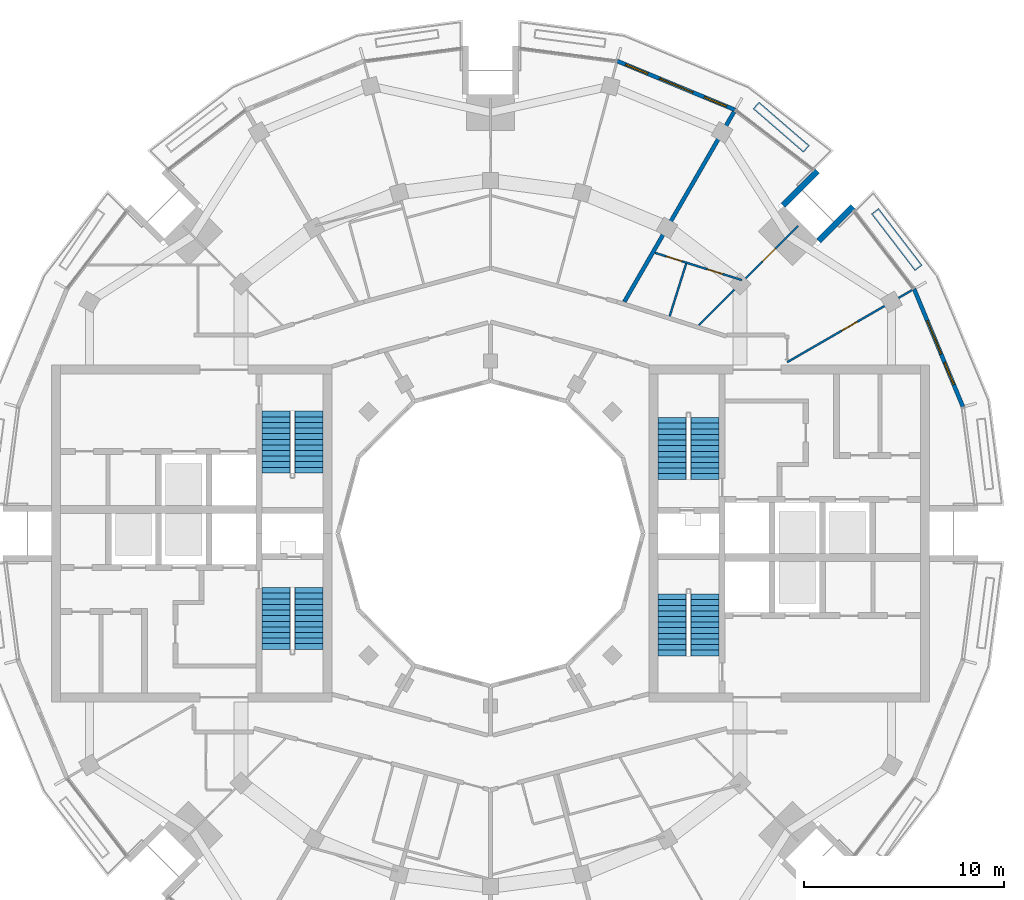
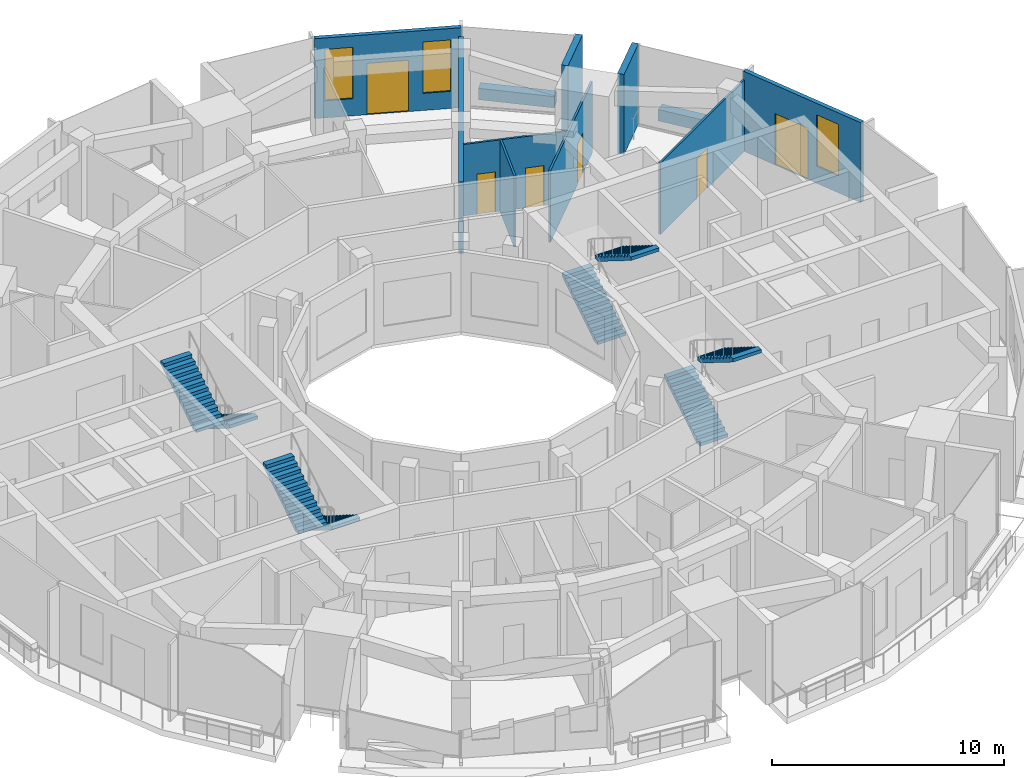
# One storey, part 14 of 17: 11 walls, 8 stair flights, 6 doors, 3 windows, 9 openings, 4 elements without a shape of their own.
"""IFC4 building model written with IfcOpenShell, lengths in metres."""

from ifc_helpers import new_model, si_unit, direction, frame, frame_2d, origin, place, context, subcontext, project, spatial, polyline, rectangle, outline, extrude, material, layer, layer_set, type_object, element, fill, aggregate, save


model = new_model("IFC4")

# Units and contexts
model_context = context("Model", 3, precision=1e-05, world=origin(), true_north=direction((0.0, 1.0)))
body_context = subcontext(model_context, "Body", "Model", "MODEL_VIEW")
ifc_project = project(units=[si_unit("LENGTHUNIT", "METRE"), si_unit("AREAUNIT", "SQUARE_METRE"), si_unit("VOLUMEUNIT", "CUBIC_METRE"), si_unit("PLANEANGLEUNIT", "RADIAN"), si_unit("MASSUNIT", "GRAM", prefix="KILO")], contexts=[model_context])

# Site, building, storey
site_placement = place(None, origin())
site = spatial("IfcSite", under=ifc_project, at=site_placement, CompositionType="ELEMENT")
building_placement = place(site_placement, origin())
building = spatial("IfcBuilding", under=site, at=building_placement, Name="Torre Brocal", CompositionType="ELEMENT")
storey_placement = place(building_placement, frame((0.0, 0.0, 275.699951171875)))
storey = spatial("IfcBuildingStorey", under=building, at=storey_placement, Name="L63", CompositionType="ELEMENT", Elevation=275.699951171875)

# Wall, openings, door, window
ifc_material_1 = material(Name="Concrete C40", Category="concrete")
ifc_layer_1 = layer(ifc_material_1, 0.199951171875)
ifc_layer_set_1 = layer_set([ifc_layer_1], Name="Concrete C40")
wall_type_1 = type_object("IfcWallType", Name="EXTERNAL WALL 200", PredefinedType="NOTDEFINED", material=ifc_layer_set_1)
wall_1_placement = place(storey_placement, frame((103.56787109375, 81.31494140625, 0.0), z_axis=(0.0, 0.0, 1.0), x_axis=(-0.382690319485, 0.923876679743, 0.0)))
wall_1 = element("IfcWall", 1, at=wall_1_placement, inside=storey, type_object=wall_type_1, Name="EXTERNAL WALL", PredefinedType="NOTDEFINED", context=body_context, shape_type="SweptSolid", body=[
    extrude(rectangle(XDim=6.369384765625, YDim=0.199951171875, at=frame_2d((3.1845703125, 0.0))), origin(), (0.0, 0.0, 1.0), 4.199951171875),
])
opening_1_placement = place(wall_1_placement, frame((1.199951171875, 0.0, 0.89990234375)))
opening_1 = element("IfcOpeningElement", 2, at=opening_1_placement, cuts=wall_1, Name="Opening W9", PredefinedType="OPENING", context=body_context, shape_type="SweptSolid", body=[
    extrude(rectangle(XDim=1.199951171875, YDim=2.699951171875, at=frame_2d((0.60009765625, 1.35009765625))), frame((0.0, 0.10986328125, 0.0), z_axis=(0.0, -1.0, 0.0), x_axis=(1.0, 0.0, 0.0)), (0.0, 0.0, 1.0), 0.219970703125),
])
opening_2_placement = place(wall_1_placement, frame((2.85009765625, 0.0, 0.0)))
opening_2 = element("IfcOpeningElement", 3, at=opening_2_placement, cuts=wall_1, Name="Opening L63-E01", PredefinedType="OPENING", context=body_context, shape_type="SweptSolid", body=[
    extrude(rectangle(XDim=1.800048828125, YDim=2.699951171875, at=frame_2d((0.89990234375, 1.35009765625))), frame((0.0, 0.10986328125, 0.0), z_axis=(0.0, -1.0, 0.0), x_axis=(1.0, 0.0, 0.0)), (0.0, 0.0, 1.0), 0.219970703125),
])
ifc_material_2 = material(Name="Aluminium and glass", Category="aluminium")
door_type_1 = type_object("IfcDoorType", Name="PENTHOUSE TERRACE DOUBLE DOOR 1800X2700", OperationType="DOUBLE_DOOR_SINGLE_SWING", PredefinedType="DOOR", material=ifc_material_2)
door_1_placement = place(opening_2_placement, frame((1.800048828125, 0.0, 0.0), z_axis=(0.0, 0.0, 1.0), x_axis=(-1.0, 0.0, 0.0)))
door_1 = element("IfcDoor", 4, at=door_1_placement, inside=storey, type_object=door_type_1, Name="DOOR L63-E01", OperationType="DOUBLE_DOOR_SINGLE_SWING", OverallHeight=2.699951171875, OverallWidth=1.800048828125, PredefinedType="DOOR", context=body_context, shape_type="SweptSolid", body=[
    extrude(rectangle(XDim=1.800048828125, YDim=2.699951171875, at=frame_2d((0.89990234375, 1.35009765625))), frame((0.0, 0.02490234375, 0.0), z_axis=(0.0, -1.0, 0.0), x_axis=(1.0, 0.0, 0.0)), (0.0, 0.0, 1.0), 0.050048828125),
])
fill(opening_2, door_1)
ifc_material_3 = material(Name="Aluminium and glass", Category="aluminium")
window_type = type_object("IfcWindowType", Name="PENTHOUSE TERRACE WINDOW 1200X2700", PartitioningType="SINGLE_PANEL", PredefinedType="WINDOW", material=ifc_material_3)
window_1_placement = place(opening_1_placement, origin())
window_1 = element("IfcWindow", 5, at=window_1_placement, inside=storey, type_object=window_type, Name="PENTHOUSE TERRACE WINDOW 1200X2700", OverallHeight=2.699951171875, OverallWidth=1.199951171875, PartitioningType="SINGLE_PANEL", PredefinedType="WINDOW", context=body_context, shape_type="SweptSolid", body=[
    extrude(rectangle(XDim=1.199951171875, YDim=2.699951171875, at=frame_2d((0.60009765625, 1.35009765625))), frame((0.0, 0.030029296875, 0.0), z_axis=(0.0, -1.0, 0.0), x_axis=(1.0, 0.0, 0.0)), (0.0, 0.0, 1.0), 0.06005859375),
])
fill(opening_1, window_1)

# Wall, openings, door, windows
wall_2_placement = place(storey_placement, frame((92.199462890625, 96.13037109375, 0.0), z_axis=(0.0, 0.0, 1.0), x_axis=(-0.923876679743, 0.382690319485, 0.0)))
wall_2 = element("IfcWall", 6, at=wall_2_placement, inside=storey, type_object=wall_type_1, Name="EXTERNAL WALL", PredefinedType="NOTDEFINED", context=body_context, shape_type="SweptSolid", body=[
    extrude(rectangle(XDim=6.369384765625, YDim=0.199951171875, at=frame_2d((3.1845703125, 0.0))), origin(), (0.0, 0.0, 1.0), 4.199951171875),
])
opening_3_placement = place(wall_2_placement, frame((0.461669921875, 0.0, 0.89990234375)))
opening_3 = element("IfcOpeningElement", 7, at=opening_3_placement, cuts=wall_2, Name="Opening W9", PredefinedType="OPENING", context=body_context, shape_type="SweptSolid", body=[
    extrude(rectangle(XDim=1.199951171875, YDim=2.699951171875, at=frame_2d((0.60009765625, 1.35009765625))), frame((0.0, 0.10986328125, 0.0), z_axis=(0.0, -1.0, 0.0), x_axis=(1.0, 0.0, 0.0)), (0.0, 0.0, 1.0), 0.219970703125),
])
opening_4_placement = place(wall_2_placement, frame((2.28466796875, 0.0, 0.0)))
opening_4 = element("IfcOpeningElement", 8, at=opening_4_placement, cuts=wall_2, Name="Opening L63-E02", PredefinedType="OPENING", context=body_context, shape_type="SweptSolid", body=[
    extrude(rectangle(XDim=1.800048828125, YDim=2.699951171875, at=frame_2d((0.89990234375, 1.35009765625))), frame((0.0, 0.10986328125, 0.0), z_axis=(0.0, -1.0, 0.0), x_axis=(1.0, 0.0, 0.0)), (0.0, 0.0, 1.0), 0.219970703125),
])
opening_5_placement = place(wall_2_placement, frame((4.707763671875, 0.0, 0.89990234375)))
opening_5 = element("IfcOpeningElement", 9, at=opening_5_placement, cuts=wall_2, Name="Opening W9", PredefinedType="OPENING", context=body_context, shape_type="SweptSolid", body=[
    extrude(rectangle(XDim=1.199951171875, YDim=2.699951171875, at=frame_2d((0.60009765625, 1.35009765625))), frame((0.0, 0.10986328125, 0.0), z_axis=(0.0, -1.0, 0.0), x_axis=(1.0, 0.0, 0.0)), (0.0, 0.0, 1.0), 0.219970703125),
])
door_2_placement = place(opening_4_placement, frame((1.800048828125, 0.0, 0.0), z_axis=(0.0, 0.0, 1.0), x_axis=(-1.0, 0.0, 0.0)))
door_2 = element("IfcDoor", 10, at=door_2_placement, inside=storey, type_object=door_type_1, Name="DOOR L63-E02", OperationType="DOUBLE_DOOR_SINGLE_SWING", OverallHeight=2.699951171875, OverallWidth=1.800048828125, PredefinedType="DOOR", context=body_context, shape_type="SweptSolid", body=[
    extrude(rectangle(XDim=1.800048828125, YDim=2.699951171875, at=frame_2d((0.89990234375, 1.35009765625))), frame((0.0, 0.02490234375, 0.0), z_axis=(0.0, -1.0, 0.0), x_axis=(1.0, 0.0, 0.0)), (0.0, 0.0, 1.0), 0.050048828125),
])
fill(opening_4, door_2)
window_2_placement = place(opening_3_placement, origin())
window_2 = element("IfcWindow", 11, at=window_2_placement, inside=storey, type_object=window_type, Name="PENTHOUSE TERRACE WINDOW 1200X2700", OverallHeight=2.699951171875, OverallWidth=1.199951171875, PartitioningType="SINGLE_PANEL", PredefinedType="WINDOW", context=body_context, shape_type="SweptSolid", body=[
    extrude(rectangle(XDim=1.199951171875, YDim=2.699951171875, at=frame_2d((0.60009765625, 1.35009765625))), frame((0.0, 0.030029296875, 0.0), z_axis=(0.0, -1.0, 0.0), x_axis=(1.0, 0.0, 0.0)), (0.0, 0.0, 1.0), 0.06005859375),
])
fill(opening_3, window_2)
window_3_placement = place(opening_5_placement, origin())
window_3 = element("IfcWindow", 12, at=window_3_placement, inside=storey, type_object=window_type, Name="PENTHOUSE TERRACE WINDOW 1200X2700", OverallHeight=2.699951171875, OverallWidth=1.199951171875, PartitioningType="SINGLE_PANEL", PredefinedType="WINDOW", context=body_context, shape_type="SweptSolid", body=[
    extrude(rectangle(XDim=1.199951171875, YDim=2.699951171875, at=frame_2d((0.60009765625, 1.35009765625))), frame((0.0, 0.030029296875, 0.0), z_axis=(0.0, -1.0, 0.0), x_axis=(1.0, 0.0, 0.0)), (0.0, 0.0, 1.0), 0.06005859375),
])
fill(opening_5, window_3)

# Walls
ifc_material_4 = material(Name="Concrete C50", Category="concrete")
ifc_layer_2 = layer(ifc_material_4, 0.300048828125)
ifc_layer_set_2 = layer_set([ifc_layer_2], Name="Concrete C50")
wall_type_2 = type_object("IfcWallType", Name="NOTCH RETURN WALL 300 C50", PredefinedType="NOTDEFINED", material=ifc_layer_set_2)
for number, where, z_axis, x_axis, name in (
    (13, (96.36962890625, 89.601806640625, 0.0), (0.0, 0.0, 1.0), (0.707106781187, 0.707106781187, 0.0), "NOTCH RETURN WALL"),
    (14, (94.601806640625, 91.36962890625, 0.0), (0.0, 0.0, 1.0), (0.707106781187, 0.707106781187, 0.0), "NOTCH RETURN WALL"),
):
    element("IfcWall", number, at=place(storey_placement, frame(where, z_axis=z_axis, x_axis=x_axis)), inside=storey, type_object=wall_type_2, Name=name, PredefinedType="NOTDEFINED", context=body_context, shape_type="SweptSolid", body=[
        extrude(rectangle(XDim=2.41552734375, YDim=0.300048828125, at=frame_2d((1.207763671875, 0.0))), origin(), (0.0, 0.0, 1.0), 4.199951171875),
    ])

# Wall, openings, doors
ifc_material_5 = material(Name="Gypsum board", Category="Gypsum")
ifc_layer_3 = layer(ifc_material_5, 0.10009765625)
ifc_layer_set_3 = layer_set([ifc_layer_3], Name="Gypsum board")
wall_type_3 = type_object("IfcWallType", Name="PARTITION 100", PredefinedType="PARTITIONING", material=ifc_layer_set_3)
wall_3_placement = place(storey_placement, frame((88.20703125, 88.999267578125, 0.0), z_axis=(0.0, 0.0, 1.0), x_axis=(0.954166656768, -0.29927577769, 0.0)))
wall_3 = element("IfcWall", 15, at=wall_3_placement, inside=storey, type_object=wall_type_3, Name="BATHROOM WALL", PredefinedType="PARTITIONING", context=body_context, shape_type="SweptSolid", body=[
    extrude(rectangle(XDim=4.54150390625, YDim=0.10009765625, at=frame_2d((2.270751953125, 0.0))), origin(), (0.0, 0.0, 1.0), 3.75),
])
opening_6_placement = place(wall_3_placement, frame((0.59228515625, 0.0, 0.0)))
opening_6 = element("IfcOpeningElement", 16, at=opening_6_placement, cuts=wall_3, Name="Opening N01-D03", PredefinedType="OPENING", context=body_context, shape_type="SweptSolid", body=[
    extrude(rectangle(XDim=0.800048828125, YDim=2.10009765625, at=frame_2d((0.39990234375, 1.050048828125))), frame((0.0, 0.06005859375, 0.0), z_axis=(0.0, -1.0, 0.0), x_axis=(1.0, 0.0, 0.0)), (0.0, 0.0, 1.0), 0.1201171875),
])
opening_7_placement = place(wall_3_placement, frame((2.73193359375, 0.0, 0.0)))
opening_7 = element("IfcOpeningElement", 17, at=opening_7_placement, cuts=wall_3, Name="Opening N01-D04", PredefinedType="OPENING", context=body_context, shape_type="SweptSolid", body=[
    extrude(rectangle(XDim=0.800048828125, YDim=2.10009765625, at=frame_2d((0.39990234375, 1.050048828125))), frame((0.0, 0.06005859375, 0.0), z_axis=(0.0, -1.0, 0.0), x_axis=(1.0, 0.0, 0.0)), (0.0, 0.0, 1.0), 0.1201171875),
])
ifc_material_6 = material(Name="Timber", Category="wood")
door_type_2 = type_object("IfcDoorType", Name="BATHROOM DOOR 800X2100", OperationType="SINGLE_SWING_LEFT", PredefinedType="DOOR", material=ifc_material_6)
door_3_placement = place(opening_6_placement, frame((0.800048828125, 0.0, 0.0), z_axis=(0.0, 0.0, 1.0), x_axis=(-1.0, 0.0, 0.0)))
door_3 = element("IfcDoor", 18, at=door_3_placement, inside=storey, type_object=door_type_2, Name="N01-D03", OperationType="SINGLE_SWING_LEFT", OverallHeight=2.10009765625, OverallWidth=0.800048828125, PredefinedType="DOOR", context=body_context, shape_type="SweptSolid", body=[
    extrude(rectangle(XDim=0.800048828125, YDim=2.10009765625, at=frame_2d((0.39990234375, 1.050048828125))), frame((0.0, 0.02490234375, 0.0), z_axis=(0.0, -1.0, 0.0), x_axis=(1.0, 0.0, 0.0)), (0.0, 0.0, 1.0), 0.050048828125),
])
fill(opening_6, door_3)
door_4_placement = place(opening_7_placement, frame((0.800048828125, 0.0, 0.0), z_axis=(0.0, 0.0, 1.0), x_axis=(-1.0, 0.0, 0.0)))
door_4 = element("IfcDoor", 19, at=door_4_placement, inside=storey, type_object=door_type_2, Name="N01-D04", OperationType="SINGLE_SWING_LEFT", OverallHeight=2.10009765625, OverallWidth=0.800048828125, PredefinedType="DOOR", context=body_context, shape_type="SweptSolid", body=[
    extrude(rectangle(XDim=0.800048828125, YDim=2.10009765625, at=frame_2d((0.39990234375, 1.050048828125))), frame((0.0, 0.02490234375, 0.0), z_axis=(0.0, -1.0, 0.0), x_axis=(1.0, 0.0, 0.0)), (0.0, 0.0, 1.0), 0.050048828125),
])
fill(opening_7, door_4)

# Wall
wall_4_placement = place(storey_placement, frame((88.935791015625, 85.83642578125, 0.0), z_axis=(0.0, 0.0, 1.0), x_axis=(0.299371771011, 0.954136543018, 0.0)))
element("IfcWall", 20, at=wall_4_placement, inside=storey, type_object=wall_type_3, Name="BATHROOM WALL", PredefinedType="PARTITIONING", context=body_context, shape_type="SweptSolid", body=[
    extrude(rectangle(XDim=2.75, YDim=0.10009765625, at=frame_2d((1.375, 0.0))), origin(), (0.0, 0.0, 1.0), 3.75),
])

# Wall, opening, door
wall_5_placement = place(storey_placement, frame((90.39501953125, 85.39501953125, 0.0), z_axis=(0.0, 0.0, 1.0), x_axis=(0.707106781187, 0.707106781187, 0.0)))
wall_5 = element("IfcWall", 21, at=wall_5_placement, inside=storey, type_object=wall_type_3, Name="BATHROOM WALL", PredefinedType="PARTITIONING", context=body_context, shape_type="SweptSolid", body=[
    extrude(rectangle(XDim=6.99951171875, YDim=0.10009765625, at=frame_2d((3.499755859375, 0.0))), origin(), (0.0, 0.0, 1.0), 3.75),
])
opening_8_placement = place(wall_5_placement, frame((4.49609375, 0.0, 0.0)))
opening_8 = element("IfcOpeningElement", 22, at=opening_8_placement, cuts=wall_5, Name="Opening N01-D02", PredefinedType="OPENING", context=body_context, shape_type="SweptSolid", body=[
    extrude(rectangle(XDim=0.89990234375, YDim=2.10009765625, at=frame_2d((0.449951171875, 1.050048828125))), frame((0.0, 0.06005859375, 0.0), z_axis=(0.0, -1.0, 0.0), x_axis=(1.0, 0.0, 0.0)), (0.0, 0.0, 1.0), 0.1201171875),
])
ifc_material_7 = material(Name="Timber", Category="wood")
door_type_3 = type_object("IfcDoorType", Name="ROOM DOOR 900X2100", OperationType="SINGLE_SWING_LEFT", PredefinedType="DOOR", material=ifc_material_7)
door_5_placement = place(opening_8_placement, frame((0.89990234375, 0.0, 0.0), z_axis=(0.0, 0.0, 1.0), x_axis=(-1.0, 0.0, 0.0)))
door_5 = element("IfcDoor", 23, at=door_5_placement, inside=storey, type_object=door_type_3, Name="N01-D02", OperationType="SINGLE_SWING_RIGHT", OverallHeight=2.10009765625, OverallWidth=0.89990234375, PredefinedType="DOOR", context=body_context, shape_type="SweptSolid", body=[
    extrude(rectangle(XDim=0.89990234375, YDim=2.10009765625, at=frame_2d((0.449951171875, 1.050048828125))), frame((0.0, 0.02490234375, 0.0), z_axis=(0.0, -1.0, 0.0), x_axis=(1.0, 0.0, 0.0)), (0.0, 0.0, 1.0), 0.050048828125),
])
fill(opening_8, door_5)

wall_6_placement = place(storey_placement, frame((94.800048828125, 83.544921875, 0.0), z_axis=(0.0, 0.0, 1.0), x_axis=(0.866044015472, 0.499967762227, 0.0)))
wall_6 = element("IfcWall", 24, at=wall_6_placement, inside=storey, type_object=wall_type_3, Name="ROOM PARTITION", PredefinedType="PARTITIONING", context=body_context, shape_type="SweptSolid", body=[
    extrude(rectangle(XDim=7.2080078125, YDim=0.10009765625, at=frame_2d((3.60400390625, 0.0))), origin(), (0.0, 0.0, 1.0), 3.75),
])
opening_9_placement = place(wall_6_placement, frame((3.12890625, 0.0, 0.0)))
opening_9 = element("IfcOpeningElement", 25, at=opening_9_placement, cuts=wall_6, Name="Opening N01-D05", PredefinedType="OPENING", context=body_context, shape_type="SweptSolid", body=[
    extrude(rectangle(XDim=0.89990234375, YDim=2.10009765625, at=frame_2d((0.449951171875, 1.050048828125))), frame((0.0, 0.06005859375, 0.0), z_axis=(0.0, -1.0, 0.0), x_axis=(1.0, 0.0, 0.0)), (0.0, 0.0, 1.0), 0.1201171875),
])
door_6_placement = place(opening_9_placement, frame((0.89990234375, 0.0, 0.0), z_axis=(0.0, 0.0, 1.0), x_axis=(-1.0, 0.0, 0.0)))
door_6 = element("IfcDoor", 26, at=door_6_placement, inside=storey, type_object=door_type_3, Name="N01-D05", OperationType="SINGLE_SWING_RIGHT", OverallHeight=2.10009765625, OverallWidth=0.89990234375, PredefinedType="DOOR", context=body_context, shape_type="SweptSolid", body=[
    extrude(rectangle(XDim=0.89990234375, YDim=2.10009765625, at=frame_2d((0.449951171875, 1.050048828125))), frame((0.0, 0.02490234375, 0.0), z_axis=(0.0, -1.0, 0.0), x_axis=(1.0, 0.0, 0.0)), (0.0, 0.0, 1.0), 0.050048828125),
])
fill(opening_9, door_6)

# Walls
ifc_material_8 = material(Name="Gypsum board", Category="Gypsum")
ifc_layer_4 = layer(ifc_material_8, 0.199951171875)
ifc_layer_set_4 = layer_set([ifc_layer_4], Name="Gypsum board")
wall_type_4 = type_object("IfcWallType", Name="PARTITION 200 EI60", PredefinedType="PARTITIONING", material=ifc_layer_set_4)
wall_7_placement = place(storey_placement, frame((86.677978515625, 86.561767578125, 0.0), z_axis=(0.0, 0.0, 1.0), x_axis=(0.500133037155, 0.865948581122, 0.0)))
element("IfcWall", 27, at=wall_7_placement, inside=storey, type_object=wall_type_4, Name="BATHROOM WALL", PredefinedType="PARTITIONING", context=body_context, shape_type="SweptSolid", body=[
    extrude(rectangle(XDim=10.94580078125, YDim=0.199951171875, at=frame_2d((5.472900390625, 0.0))), origin(), (0.0, 0.0, 1.0), 3.75),
])
ifc_material_9 = material(Name="Concrete C35", Category="concrete")
ifc_layer_5 = layer(ifc_material_9, 0.449951171875)
ifc_layer_set_5 = layer_set([ifc_layer_5], Name="Concrete C35")
wall_type_5 = type_object("IfcWallType", Name="PLANTER WALL 450 THICK 600 HIGH", PredefinedType="USERDEFINED", material=ifc_layer_set_5)
wall_8_placement = place(storey_placement, frame((101.352783203125, 88.243896484375, 0.0), z_axis=(0.0, 0.0, 1.0), x_axis=(-0.608768756855, 0.793347717383, 0.0)))
element("IfcWall", 28, at=wall_8_placement, inside=storey, type_object=wall_type_5, Name="PLANTER", ObjectType="PLANTER", PredefinedType="USERDEFINED", context=body_context, shape_type="SweptSolid", body=[
    extrude(rectangle(XDim=3.5712890625, YDim=0.449951171875, at=frame_2d((1.78564453125, 0.0))), origin(), (0.0, 0.0, 1.0), 0.60009765625),
])
wall_9_placement = place(storey_placement, frame((95.759765625, 94.1787109375, 0.0), z_axis=(0.0, 0.0, 1.0), x_axis=(-0.75663311645, 0.65383967996, 0.0)))
element("IfcWall", 29, at=wall_9_placement, inside=storey, type_object=wall_type_5, Name="PLANTER", ObjectType="PLANTER", PredefinedType="USERDEFINED", context=body_context, shape_type="SweptSolid", body=[
    extrude(rectangle(XDim=3.3251953125, YDim=0.449951171875, at=frame_2d((1.66259765625, 0.0))), origin(), (0.0, 0.0, 1.0), 0.60009765625),
])

# Stair, stair flights
ifc_material_10 = material(Name="Concrete C50", Category="concrete")
stair_type = type_object("IfcStairType", Name="EXIT STAIR", PredefinedType="HALF_TURN_STAIR", material=ifc_material_10)
stair_1_placement = place(storey_placement, origin())
stair_1 = element("IfcStair", 30, at=stair_1_placement, inside=storey, type_object=stair_type, Name="EXIT STAIR ST1", PredefinedType="HALF_TURN_STAIR")
ifc_material_11 = material(Name="Concrete C50", Category="concrete")
ifc_layer_6 = layer(ifc_material_11, 0.14990234375)
ifc_layer_set_6 = layer_set([ifc_layer_6], Name="Concrete C50")
stair_flight_type = type_object("IfcStairFlightType", Name="STAIR FLIGHT", PredefinedType="STRAIGHT", material=ifc_layer_set_6)
stair_flight_1_placement = place(storey_placement, frame((89.050048828125, 77.699951171875, 0.0), z_axis=(0.0, 0.0, 1.0), x_axis=(0.0, 1.0, 0.0)))
stair_flight_1 = element("IfcStairFlight", 31, at=stair_flight_1_placement, type_object=stair_flight_type, Name="ST1 flight 1", NumberOfRisers=12, NumberOfTreads=11, PredefinedType="STRAIGHT", RiserHeight=0.175, TreadLength=0.28, context=body_context, shape_type="SweptSolid", body=[
    extrude(outline(polyline([(0.0, 0.0), (0.0, 0.175048828125), (0.280029296875, 0.175048828125), (0.280029296875, 0.35009765625), (0.56005859375, 0.35009765625), (0.56005859375, 0.52490234375), (0.840087890625, 0.52490234375), (0.840087890625, 0.699951171875), (1.1201171875, 0.699951171875), (1.1201171875, 0.875), (1.39990234375, 0.875), (1.39990234375, 1.050048828125), (1.679931640625, 1.050048828125), (1.679931640625, 1.22509765625), (1.9599609375, 1.22509765625), (1.9599609375, 1.39990234375), (2.239990234375, 1.39990234375), (2.239990234375, 1.574951171875), (2.52001953125, 1.574951171875), (2.52001953125, 1.75), (2.800048828125, 1.75), (2.800048828125, 1.925048828125), (3.080078125, 1.925048828125), (3.080078125, 2.10009765625), (3.080078125, 1.748291015625), (0.28271484375, 0.0), (0.0, 0.0)])), frame((0.0, 0.699951171875, 0.0), z_axis=(0.0, -1.0, 0.0), x_axis=(1.0, 0.0, 0.0)), (0.0, 0.0, 1.0), 1.39990234375),
])
stair_flight_2_placement = place(storey_placement, frame((90.699951171875, 80.780029296875, 2.10009765625), z_axis=(0.0, 0.0, 1.0), x_axis=(0.0, -1.0, 0.0)))
stair_flight_2 = element("IfcStairFlight", 32, at=stair_flight_2_placement, type_object=stair_flight_type, Name="ST1 flight 2", NumberOfRisers=12, NumberOfTreads=11, PredefinedType="STRAIGHT", RiserHeight=0.175, TreadLength=0.28, context=body_context, shape_type="SweptSolid", body=[
    extrude(outline(polyline([(0.0, 0.0), (0.0, 0.175048828125), (0.280029296875, 0.175048828125), (0.280029296875, 0.35009765625), (0.56005859375, 0.35009765625), (0.56005859375, 0.52490234375), (0.840087890625, 0.52490234375), (0.840087890625, 0.699951171875), (1.1201171875, 0.699951171875), (1.1201171875, 0.875), (1.39990234375, 0.875), (1.39990234375, 1.050048828125), (1.679931640625, 1.050048828125), (1.679931640625, 1.22509765625), (1.9599609375, 1.22509765625), (1.9599609375, 1.39990234375), (2.239990234375, 1.39990234375), (2.239990234375, 1.574951171875), (2.52001953125, 1.574951171875), (2.52001953125, 1.75), (2.800048828125, 1.75), (2.800048828125, 1.925048828125), (3.080078125, 1.925048828125), (3.080078125, 2.10009765625), (3.080078125, 1.748291015625), (0.28271484375, 0.0), (0.0, 0.0)])), frame((0.0, 0.699951171875, 0.0), z_axis=(0.0, -1.0, 0.0), x_axis=(1.0, 0.0, 0.0)), (0.0, 0.0, 1.0), 1.39990234375),
])
aggregate(stair_1, [stair_flight_1, stair_flight_2])

stair_2_placement = place(storey_placement, origin())
stair_2 = element("IfcStair", 33, at=stair_2_placement, inside=storey, type_object=stair_type, Name="EXIT STAIR ST2", PredefinedType="HALF_TURN_STAIR")
stair_flight_3_placement = place(storey_placement, frame((89.050048828125, 68.89990234375, 0.0), z_axis=(0.0, 0.0, 1.0), x_axis=(0.0, 1.0, 0.0)))
stair_flight_3 = element("IfcStairFlight", 34, at=stair_flight_3_placement, type_object=stair_flight_type, Name="ST2 flight 1", NumberOfRisers=12, NumberOfTreads=11, PredefinedType="STRAIGHT", RiserHeight=0.175, TreadLength=0.28, context=body_context, shape_type="SweptSolid", body=[
    extrude(outline(polyline([(0.0, 0.0), (0.0, 0.175048828125), (0.280029296875, 0.175048828125), (0.280029296875, 0.35009765625), (0.56005859375, 0.35009765625), (0.56005859375, 0.52490234375), (0.840087890625, 0.52490234375), (0.840087890625, 0.699951171875), (1.1201171875, 0.699951171875), (1.1201171875, 0.875), (1.39990234375, 0.875), (1.39990234375, 1.050048828125), (1.679931640625, 1.050048828125), (1.679931640625, 1.22509765625), (1.9599609375, 1.22509765625), (1.9599609375, 1.39990234375), (2.239990234375, 1.39990234375), (2.239990234375, 1.574951171875), (2.52001953125, 1.574951171875), (2.52001953125, 1.75), (2.800048828125, 1.75), (2.800048828125, 1.925048828125), (3.080078125, 1.925048828125), (3.080078125, 2.10009765625), (3.080078125, 1.748291015625), (0.28271484375, 0.0), (0.0, 0.0)])), frame((0.0, 0.699951171875, 0.0), z_axis=(0.0, -1.0, 0.0), x_axis=(1.0, 0.0, 0.0)), (0.0, 0.0, 1.0), 1.39990234375),
])
stair_flight_4_placement = place(storey_placement, frame((90.699951171875, 71.97998046875, 2.10009765625), z_axis=(0.0, 0.0, 1.0), x_axis=(0.0, -1.0, 0.0)))
stair_flight_4 = element("IfcStairFlight", 35, at=stair_flight_4_placement, type_object=stair_flight_type, Name="ST2 flight 2", NumberOfRisers=12, NumberOfTreads=11, PredefinedType="STRAIGHT", RiserHeight=0.175, TreadLength=0.28, context=body_context, shape_type="SweptSolid", body=[
    extrude(outline(polyline([(0.0, 0.0), (0.0, 0.175048828125), (0.280029296875, 0.175048828125), (0.280029296875, 0.35009765625), (0.56005859375, 0.35009765625), (0.56005859375, 0.52490234375), (0.840087890625, 0.52490234375), (0.840087890625, 0.699951171875), (1.1201171875, 0.699951171875), (1.1201171875, 0.875), (1.39990234375, 0.875), (1.39990234375, 1.050048828125), (1.679931640625, 1.050048828125), (1.679931640625, 1.22509765625), (1.9599609375, 1.22509765625), (1.9599609375, 1.39990234375), (2.239990234375, 1.39990234375), (2.239990234375, 1.574951171875), (2.52001953125, 1.574951171875), (2.52001953125, 1.75), (2.800048828125, 1.75), (2.800048828125, 1.925048828125), (3.080078125, 1.925048828125), (3.080078125, 2.10009765625), (3.080078125, 1.748291015625), (0.28271484375, 0.0), (0.0, 0.0)])), frame((0.0, 0.699951171875, 0.0), z_axis=(0.0, -1.0, 0.0), x_axis=(1.0, 0.0, 0.0)), (0.0, 0.0, 1.0), 1.39990234375),
])
aggregate(stair_2, [stair_flight_3, stair_flight_4])

stair_3_placement = place(storey_placement, origin())
stair_3 = element("IfcStair", 36, at=stair_3_placement, inside=storey, type_object=stair_type, Name="EXIT STAIR ST3", PredefinedType="HALF_TURN_STAIR")
stair_flight_5_placement = place(storey_placement, frame((70.949951171875, 72.300048828125, 0.0), z_axis=(0.0, 0.0, 1.0), x_axis=(0.0, -1.0, 0.0)))
stair_flight_5 = element("IfcStairFlight", 37, at=stair_flight_5_placement, type_object=stair_flight_type, Name="ST3 flight 1", NumberOfRisers=12, NumberOfTreads=11, PredefinedType="STRAIGHT", RiserHeight=0.175, TreadLength=0.28, context=body_context, shape_type="SweptSolid", body=[
    extrude(outline(polyline([(0.0, 0.0), (0.0, 0.175048828125), (0.280029296875, 0.175048828125), (0.280029296875, 0.35009765625), (0.56005859375, 0.35009765625), (0.56005859375, 0.52490234375), (0.840087890625, 0.52490234375), (0.840087890625, 0.699951171875), (1.1201171875, 0.699951171875), (1.1201171875, 0.875), (1.39990234375, 0.875), (1.39990234375, 1.050048828125), (1.679931640625, 1.050048828125), (1.679931640625, 1.22509765625), (1.9599609375, 1.22509765625), (1.9599609375, 1.39990234375), (2.239990234375, 1.39990234375), (2.239990234375, 1.574951171875), (2.52001953125, 1.574951171875), (2.52001953125, 1.75), (2.800048828125, 1.75), (2.800048828125, 1.925048828125), (3.080078125, 1.925048828125), (3.080078125, 2.10009765625), (3.080078125, 1.748291015625), (0.28271484375, 0.0), (0.0, 0.0)])), frame((0.0, 0.699951171875, 0.0), z_axis=(0.0, -1.0, 0.0), x_axis=(1.0, 0.0, 0.0)), (0.0, 0.0, 1.0), 1.39990234375),
])
stair_flight_6_placement = place(storey_placement, frame((69.300048828125, 69.219970703125, 2.10009765625), z_axis=(0.0, 0.0, 1.0), x_axis=(0.0, 1.0, 0.0)))
stair_flight_6 = element("IfcStairFlight", 38, at=stair_flight_6_placement, type_object=stair_flight_type, Name="ST3 flight 2", NumberOfRisers=12, NumberOfTreads=11, PredefinedType="STRAIGHT", RiserHeight=0.175, TreadLength=0.28, context=body_context, shape_type="SweptSolid", body=[
    extrude(outline(polyline([(0.0, 0.0), (0.0, 0.175048828125), (0.280029296875, 0.175048828125), (0.280029296875, 0.35009765625), (0.56005859375, 0.35009765625), (0.56005859375, 0.52490234375), (0.840087890625, 0.52490234375), (0.840087890625, 0.699951171875), (1.1201171875, 0.699951171875), (1.1201171875, 0.875), (1.39990234375, 0.875), (1.39990234375, 1.050048828125), (1.679931640625, 1.050048828125), (1.679931640625, 1.22509765625), (1.9599609375, 1.22509765625), (1.9599609375, 1.39990234375), (2.239990234375, 1.39990234375), (2.239990234375, 1.574951171875), (2.52001953125, 1.574951171875), (2.52001953125, 1.75), (2.800048828125, 1.75), (2.800048828125, 1.925048828125), (3.080078125, 1.925048828125), (3.080078125, 2.10009765625), (3.080078125, 1.748291015625), (0.28271484375, 0.0), (0.0, 0.0)])), frame((0.0, 0.699951171875, 0.0), z_axis=(0.0, -1.0, 0.0), x_axis=(1.0, 0.0, 0.0)), (0.0, 0.0, 1.0), 1.39990234375),
])
aggregate(stair_3, [stair_flight_5, stair_flight_6])

stair_4_placement = place(storey_placement, origin())
stair_4 = element("IfcStair", 39, at=stair_4_placement, inside=storey, type_object=stair_type, Name="EXIT STAIR ST4", PredefinedType="HALF_TURN_STAIR")
stair_flight_7_placement = place(storey_placement, frame((70.949951171875, 81.10009765625, 0.0), z_axis=(0.0, 0.0, 1.0), x_axis=(0.0, -1.0, 0.0)))
stair_flight_7 = element("IfcStairFlight", 40, at=stair_flight_7_placement, type_object=stair_flight_type, Name="ST4 flight 1", NumberOfRisers=12, NumberOfTreads=11, PredefinedType="STRAIGHT", RiserHeight=0.175, TreadLength=0.28, context=body_context, shape_type="SweptSolid", body=[
    extrude(outline(polyline([(0.0, 0.0), (0.0, 0.175048828125), (0.280029296875, 0.175048828125), (0.280029296875, 0.35009765625), (0.56005859375, 0.35009765625), (0.56005859375, 0.52490234375), (0.840087890625, 0.52490234375), (0.840087890625, 0.699951171875), (1.1201171875, 0.699951171875), (1.1201171875, 0.875), (1.39990234375, 0.875), (1.39990234375, 1.050048828125), (1.679931640625, 1.050048828125), (1.679931640625, 1.22509765625), (1.9599609375, 1.22509765625), (1.9599609375, 1.39990234375), (2.239990234375, 1.39990234375), (2.239990234375, 1.574951171875), (2.52001953125, 1.574951171875), (2.52001953125, 1.75), (2.800048828125, 1.75), (2.800048828125, 1.925048828125), (3.080078125, 1.925048828125), (3.080078125, 2.10009765625), (3.080078125, 1.748291015625), (0.28271484375, 0.0), (0.0, 0.0)])), frame((0.0, 0.699951171875, 0.0), z_axis=(0.0, -1.0, 0.0), x_axis=(1.0, 0.0, 0.0)), (0.0, 0.0, 1.0), 1.39990234375),
])
stair_flight_8_placement = place(storey_placement, frame((69.300048828125, 78.02001953125, 2.10009765625), z_axis=(0.0, 0.0, 1.0), x_axis=(0.0, 1.0, 0.0)))
stair_flight_8 = element("IfcStairFlight", 41, at=stair_flight_8_placement, type_object=stair_flight_type, Name="ST4 flight 2", NumberOfRisers=12, NumberOfTreads=11, PredefinedType="STRAIGHT", RiserHeight=0.175, TreadLength=0.28, context=body_context, shape_type="SweptSolid", body=[
    extrude(outline(polyline([(0.0, 0.0), (0.0, 0.175048828125), (0.280029296875, 0.175048828125), (0.280029296875, 0.35009765625), (0.56005859375, 0.35009765625), (0.56005859375, 0.52490234375), (0.840087890625, 0.52490234375), (0.840087890625, 0.699951171875), (1.1201171875, 0.699951171875), (1.1201171875, 0.875), (1.39990234375, 0.875), (1.39990234375, 1.050048828125), (1.679931640625, 1.050048828125), (1.679931640625, 1.22509765625), (1.9599609375, 1.22509765625), (1.9599609375, 1.39990234375), (2.239990234375, 1.39990234375), (2.239990234375, 1.574951171875), (2.52001953125, 1.574951171875), (2.52001953125, 1.75), (2.800048828125, 1.75), (2.800048828125, 1.925048828125), (3.080078125, 1.925048828125), (3.080078125, 2.10009765625), (3.080078125, 1.748291015625), (0.28271484375, 0.0), (0.0, 0.0)])), frame((0.0, 0.699951171875, 0.0), z_axis=(0.0, -1.0, 0.0), x_axis=(1.0, 0.0, 0.0)), (0.0, 0.0, 1.0), 1.39990234375),
])
aggregate(stair_4, [stair_flight_7, stair_flight_8])

save(model, "model.ifc")
